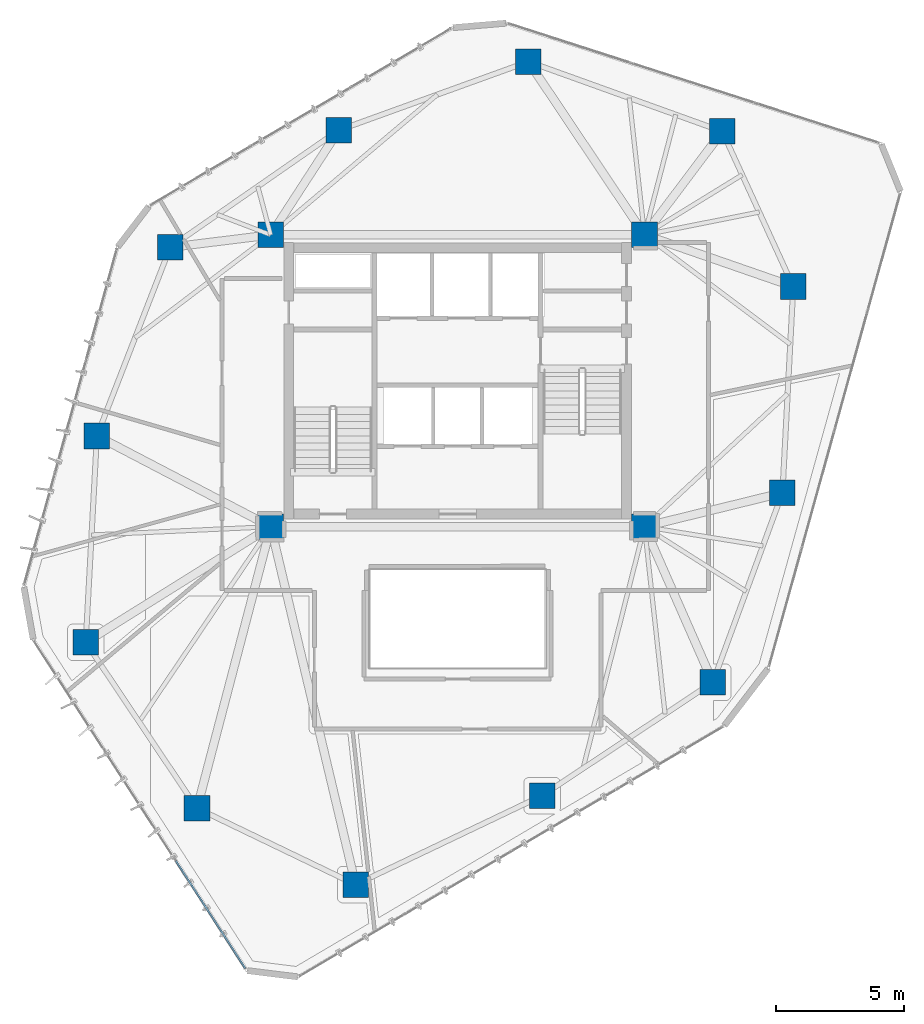
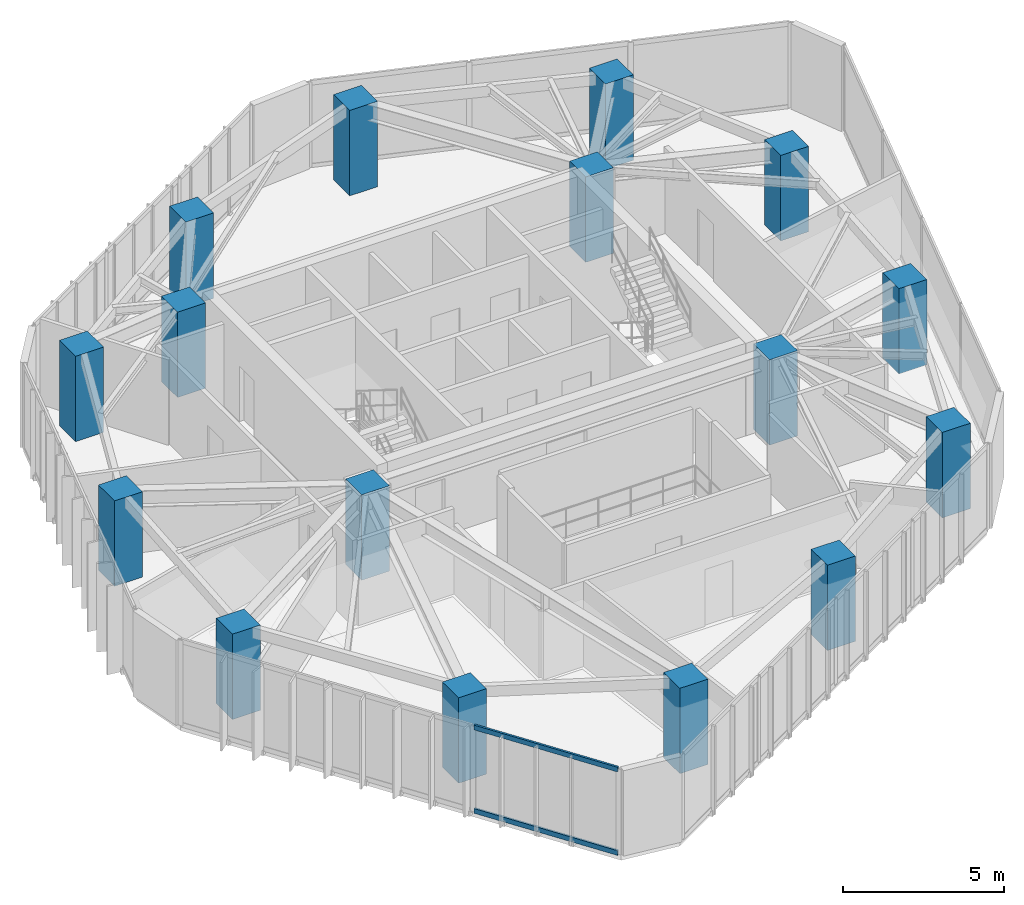
# One storey, part 1 of 19: 16 columns, 2 members, 1 element without a shape of its own.
"""IFC4 building model written with IfcOpenShell, lengths in metres."""

from ifc_helpers import new_model, si_unit, direction, frame, origin, origin_2d, place, context, subcontext, project, spatial, rectangle, hollow_rectangle, extrude, source, transform, mapped, material, layer, layer_set, material_profile, profile_set, type_object, type_shapes, element, aggregate, save


model = new_model("IFC4")

# Units and contexts
model_context = context("Model", 3, precision=1e-05, world=origin(), true_north=direction((0.0, 1.0)))
body_context = subcontext(model_context, "Body", "Model", "MODEL_VIEW")
ifc_project = project(units=[si_unit("LENGTHUNIT", "METRE"), si_unit("AREAUNIT", "SQUARE_METRE"), si_unit("VOLUMEUNIT", "CUBIC_METRE"), si_unit("PLANEANGLEUNIT", "RADIAN"), si_unit("MASSUNIT", "GRAM", prefix="KILO")], contexts=[model_context])

# Site, building, storey
site_placement = place(None, origin())
site = spatial("IfcSite", under=ifc_project, at=site_placement, CompositionType="ELEMENT")
building_placement = place(site_placement, origin())
building = spatial("IfcBuilding", under=site, at=building_placement, Name="Talar Marvaseh", CompositionType="ELEMENT")
storey_placement = place(building_placement, frame((0.0, 0.0, 181.0)))
storey = spatial("IfcBuildingStorey", under=building, at=storey_placement, Name="L47", CompositionType="ELEMENT", Elevation=181.0)

# Columns
ifc_material_1 = material(Name="Concrete C60/75", Category="concrete")
ifc_material_profile_1 = material_profile(ifc_material_1, rectangle(XDim=1.0, YDim=1.0, at=origin_2d()), Name="RC1000x1000")
ifc_profile_set_1 = profile_set([ifc_material_profile_1], Name="Concrete C60/75")
column_type = type_object("IfcColumnType", Name="Zone 3 Tube Column RC1000x1000", PredefinedType="COLUMN", material=ifc_profile_set_1)
for number, where, z_axis, x_axis, name in (
    (1, (28.76611328125, 43.66796875, 0.0), (0.0, 0.0, 1.0), (1.0, 0.0, 0.0), "L47 Zone 3 Tube Column RC1000x1000"),
    (2, (36.341064453125, 40.94189453125, 0.0), (0.0, 0.0, 1.0), (1.0, 0.0, 0.0), "L47 Zone 3 Tube Column RC1000x1000"),
    (3, (39.113037109375, 34.884033203125, 0.0), (0.0, 0.0, 1.0), (1.0, 0.0, 0.0), "L47 Zone 3 Tube Column RC1000x1000"),
    (4, (38.68896484375, 26.823974609375, 0.0), (0.0, 0.0, 1.0), (1.0, 0.0, 0.0), "L47 Zone 3 Tube Column RC1000x1000"),
    (5, (35.970947265625, 19.423095703125, 0.0), (0.0, 0.0, 1.0), (1.0, 0.0, 0.0), "L47 Zone 3 Tube Column RC1000x1000"),
    (6, (29.299072265625, 14.993896484375, 0.0), (0.0, 0.0, 1.0), (1.0, 0.0, 0.0), "L47 Zone 3 Tube Column RC1000x1000"),
    (7, (22.014892578125, 11.51904296875, 0.0), (0.0, 0.0, 1.0), (1.0, 0.0, 0.0), "L47 Zone 3 Tube Column RC1000x1000"),
    (8, (15.819091796875, 14.5009765625, 0.0), (0.0, 0.0, 1.0), (1.0, 0.0, 0.0), "L47 Zone 3 Tube Column RC1000x1000"),
    (9, (11.471923828125, 20.986083984375, 0.0), (0.0, 0.0, 1.0), (1.0, 0.0, 0.0), "L47 Zone 3 Tube Column RC1000x1000"),
    (10, (11.908935546875, 29.044921875, 0.0), (0.0, 0.0, 1.0), (1.0, 0.0, 0.0), "L47 Zone 3 Tube Column RC1000x1000"),
    (11, (14.77294921875, 36.416015625, 0.0), (0.0, 0.0, 1.0), (1.0, 0.0, 0.0), "L47 Zone 3 Tube Column RC1000x1000"),
    (12, (21.35205078125, 40.986083984375, 0.0), (0.0, 0.0, 1.0), (1.0, 0.0, 0.0), "L47 Zone 3 Tube Column RC1000x1000"),
    (13, (18.699951171875, 25.5, 0.0), (0.0, 0.0, 1.0), (1.0, 0.0, 0.0), "L47 Zone 3 Tube Column RC1000x1000"),
    (14, (33.300048828125, 25.5, 0.0), (0.0, 0.0, 1.0), (1.0, 0.0, 0.0), "L47 Zone 3 Tube Column RC1000x1000"),
    (15, (33.300048828125, 36.89990234375, 0.0), (0.0, 0.0, 1.0), (1.0, 0.0, 0.0), "L47 Zone 3 Tube Column RC1000x1000"),
    (16, (18.699951171875, 36.89990234375, 0.0), (0.0, 0.0, 1.0), (1.0, 0.0, 0.0), "L47 Zone 3 Tube Column RC1000x1000"),
):
    element("IfcColumn", number, at=place(storey_placement, frame(where, z_axis=z_axis, x_axis=x_axis)), inside=storey, type_object=column_type, Name=name, PredefinedType="COLUMN", context=body_context, shape_type="SweptSolid", body=[
        extrude(rectangle(XDim=1.0, YDim=1.0, at=origin_2d()), origin(), (0.0, 0.0, 1.0), 3.22998046875),
    ])

# Curtain wall, members
ifc_material_2 = material(Name="Architectural Aluminium", Category="aluminium")
ifc_layer = layer(ifc_material_2, 0.18994140625)
ifc_layer_set = layer_set([ifc_layer], Name="Architectural Aluminium")
curtain_wall_type = type_object("IfcCurtainWallType", Name="Unitised Solar Atelier Curtain Wall Z3", PredefinedType="NOTDEFINED", material=ifc_layer_set)
curtain_wall_placement = place(storey_placement, origin())
curtain_wall = element("IfcCurtainWall", 17, at=curtain_wall_placement, inside=storey, type_object=curtain_wall_type, Name="L47 Unitised Solar Atelier Curtain Wall Z3", PredefinedType="NOTDEFINED")
ifc_material_profile_2 = material_profile(ifc_material_2, hollow_rectangle(XDim=0.074951171875, YDim=0.179931640625, WallThickness=0.0048828125, at=origin_2d()), Name="RHS180x75x5")
ifc_profile_set_2 = profile_set([ifc_material_profile_2], Name="Architectural Aluminium")
member_type = type_object("IfcMemberType", Name="Unitised Curtain Wall Transom RHS180x75x5", PredefinedType="USERDEFINED", material=ifc_profile_set_2)
shared_shape = source(origin(), body_context, "Body", "SweptSolid", [
    extrude(hollow_rectangle(XDim=0.074951171875, YDim=0.179931640625, WallThickness=0.0048828125, at=origin_2d()), origin(), (0.0, 0.0, 1.0), 5.000244140625),
])
type_shapes(member_type, [shared_shape])
member_1_placement = place(storey_placement, frame((17.705810546875, 8.2451171875, 0.03759765625), z_axis=(-0.542392633711, 0.840125128118, 0.0), x_axis=(-0.840125128118, -0.542392633711, 0.0)))
member_1 = element("IfcMember", 18, at=member_1_placement, type_object=member_type, Name="CW-Z3 transom 1.1", ObjectType="TRANSOM", PredefinedType="USERDEFINED", context=body_context, shape_type="MappedRepresentation", body=[
    mapped(shared_shape, transform((0.0, 0.0, 0.0), x_axis=(1.0, 0.0, 0.0), y_axis=(0.0, 1.0, 0.0), z_axis=(0.0, 0.0, 1.0), scale=1.0)),
])
member_2_placement = place(storey_placement, frame((17.705810546875, 8.2451171875, 3.1923828125), z_axis=(-0.542392633711, 0.840125128118, 0.0), x_axis=(-0.840125128118, -0.542392633711, 0.0)))
member_2 = element("IfcMember", 19, at=member_2_placement, type_object=member_type, Name="CW-Z3 transom 1.2", ObjectType="TRANSOM", PredefinedType="USERDEFINED", context=body_context, shape_type="MappedRepresentation", body=[
    mapped(shared_shape, transform((0.0, 0.0, 0.0), x_axis=(1.0, 0.0, 0.0), y_axis=(0.0, 1.0, 0.0), z_axis=(0.0, 0.0, 1.0), scale=1.0)),
])
aggregate(curtain_wall, [member_1, member_2])

save(model, "model.ifc")
